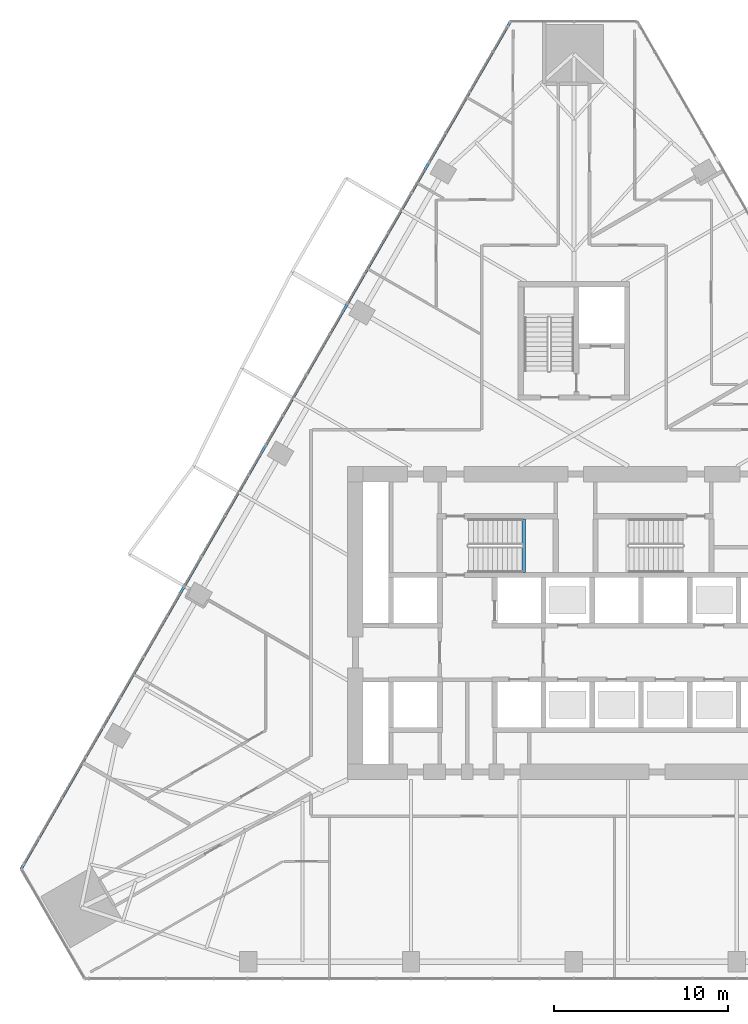
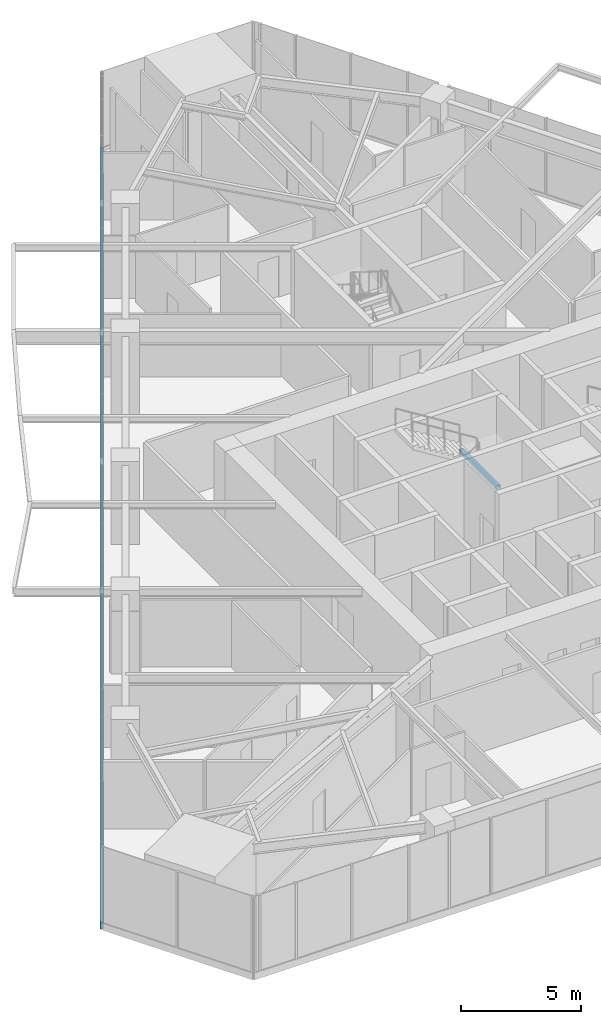
# One storey, part 5 of 22: 1 beam, 1 member, 1 element without a shape of its own.
"""IFC4 building model written with IfcOpenShell, lengths in metres."""

from ifc_helpers import new_model, si_unit, direction, frame, origin, origin_2d, place, context, subcontext, project, spatial, rectangle, extrude, material, layer, layer_set, material_profile, profile_set, type_object, element, aggregate, save


model = new_model("IFC4")

# Units and contexts
model_context = context("Model", 3, precision=1e-05, world=origin(), true_north=direction((0.0, 1.0)))
body_context = subcontext(model_context, "Body", "Model", "MODEL_VIEW")
ifc_project = project(units=[si_unit("LENGTHUNIT", "METRE"), si_unit("AREAUNIT", "SQUARE_METRE"), si_unit("VOLUMEUNIT", "CUBIC_METRE"), si_unit("PLANEANGLEUNIT", "RADIAN"), si_unit("MASSUNIT", "GRAM", prefix="KILO")], contexts=[model_context])

# Site, building, storey
site_placement = place(None, origin())
site = spatial("IfcSite", under=ifc_project, at=site_placement, CompositionType="ELEMENT")
building_placement = place(site_placement, origin())
building = spatial("IfcBuilding", under=site, at=building_placement, Name="Firuza Gate Tower and Library", CompositionType="ELEMENT")
storey_placement = place(building_placement, frame((0.0, 0.0, 111.39990234375)))
storey = spatial("IfcBuildingStorey", under=building, at=storey_placement, Name="L25", CompositionType="ELEMENT", Elevation=111.39990234375)

# Curtain wall, member
ifc_material_1 = material(Name="Aluminium 6063-T6", Category="aluminium")
ifc_layer = layer(ifc_material_1, 0.14990234375)
ifc_layer_set = layer_set([ifc_layer], Name="Unitised curtain wall, offices")
curtain_wall_type = type_object("IfcCurtainWallType", Name="Unitised curtain wall, offices", PredefinedType="NOTDEFINED", material=ifc_layer_set)
curtain_wall_placement = place(storey_placement, origin())
curtain_wall = element("IfcCurtainWall", 1, at=curtain_wall_placement, inside=storey, type_object=curtain_wall_type, Name="CW1 L25 W face", PredefinedType="NOTDEFINED")
ifc_material_2 = material(Name="Aluminium 6063-T6", Category="aluminium")
ifc_material_profile_1 = material_profile(ifc_material_2, rectangle(XDim=0.14990234375, YDim=0.35009765625, at=origin_2d()))
ifc_profile_set_1 = profile_set([ifc_material_profile_1], Name="Aluminium 6063-T6")
member_type = type_object("IfcMemberType", Name="Curtain wall transom 350x150", PredefinedType="USERDEFINED", material=ifc_profile_set_1)
member_placement = place(storey_placement, frame((71.356689453125, 109.557373046875, -0.02490234375), z_axis=(-0.500000287872, -0.866025237581, 0.0), x_axis=(0.866025237581, -0.500000287872, 0.0)))
member = element("IfcMember", 2, at=member_placement, type_object=member_type, Name="Transom", ObjectType="TRANSOM", PredefinedType="USERDEFINED", context=body_context, shape_type="SweptSolid", body=[
    extrude(rectangle(XDim=0.14990234375, YDim=0.35009765625, at=origin_2d()), origin(), (0.0, 0.0, 1.0), 56.2119140625),
])
aggregate(curtain_wall, [member])

# Beam
ifc_material_3 = material(Name="Concrete C35/45", Category="concrete")
ifc_material_profile_2 = material_profile(ifc_material_3, rectangle(XDim=0.199951171875, YDim=0.199951171875, at=origin_2d()))
ifc_profile_set_2 = profile_set([ifc_material_profile_2], Name="Concrete C35/45")
beam_type = type_object("IfcBeamType", Name="Stair landing bearer 200x200", PredefinedType="BEAM", material=ifc_profile_set_2)
beam_placement = place(storey_placement, frame((72.1201171875, 77.89990234375, 1.800048828125), z_axis=(0.0, 1.0, 0.0), x_axis=(-1.0, 0.0, 0.0)))
element("IfcBeam", 3, at=beam_placement, inside=storey, type_object=beam_type, Name="Landing bearer L25 stair 1", PredefinedType="BEAM", context=body_context, shape_type="SweptSolid", body=[
    extrude(rectangle(XDim=0.199951171875, YDim=0.199951171875, at=origin_2d()), origin(), (0.0, 0.0, 1.0), 3.080078125),
])

save(model, "model.ifc")
